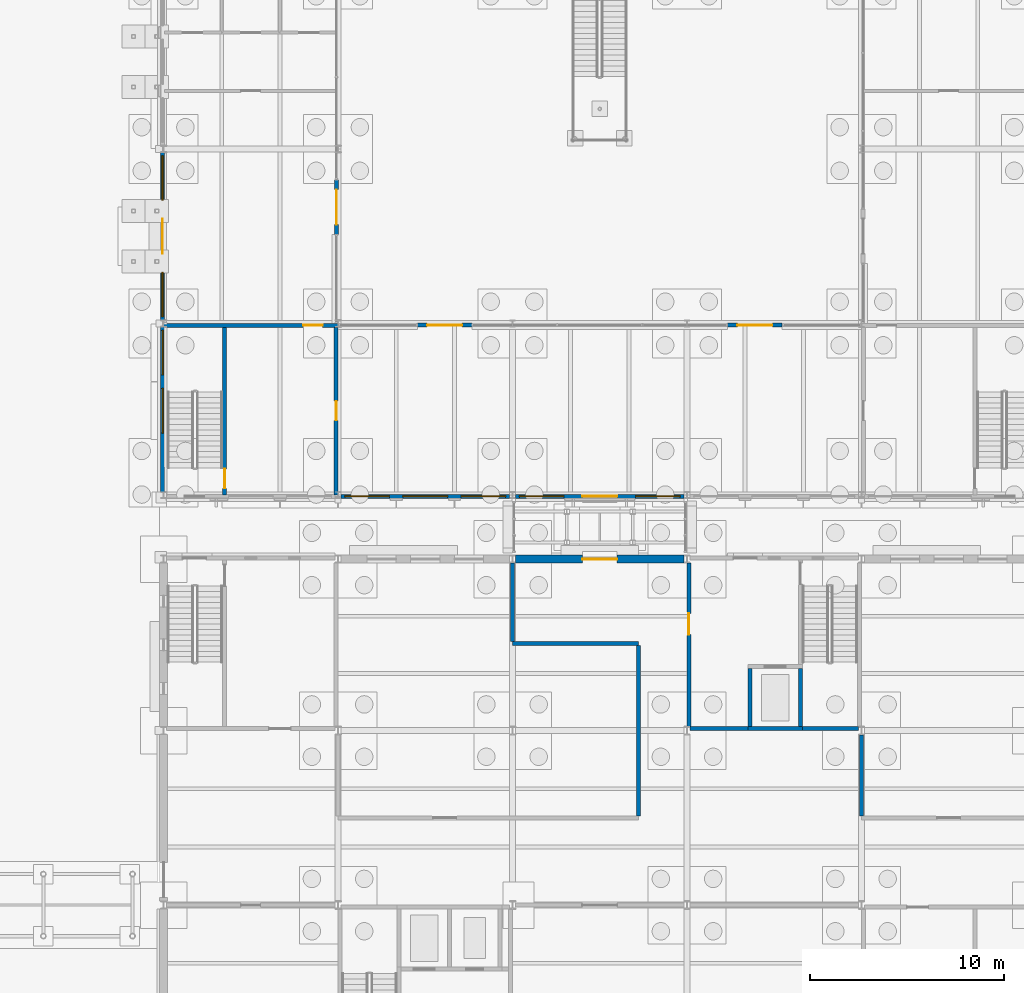
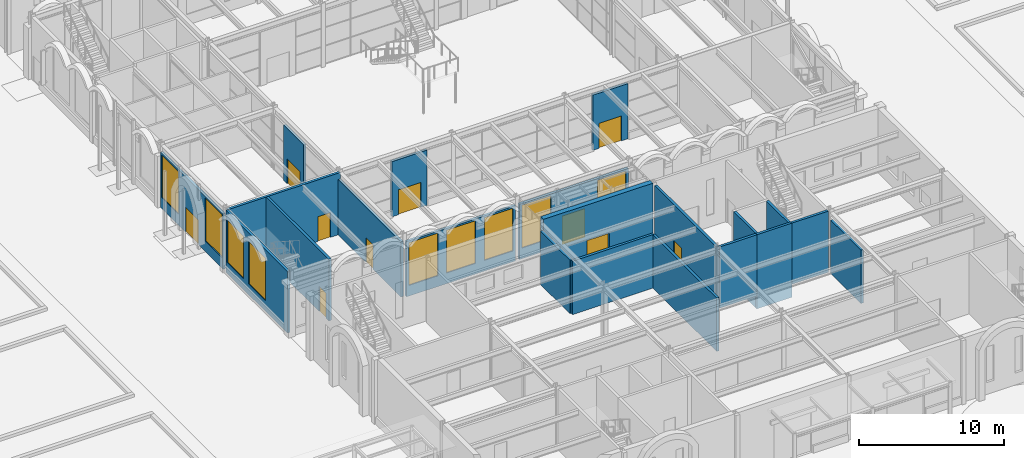
# One storey, part 71 of 126: 21 walls, 10 doors, 9 windows, 19 openings.
"""IFC4 building model written with IfcOpenShell, lengths in metres."""

from ifc_helpers import new_model, si_unit, direction, frame, frame_2d, origin, place, context, subcontext, project, spatial, rectangle, extrude, material, layer, layer_set, type_object, element, fill, save


model = new_model("IFC4")

# Units and contexts
model_context = context("Model", 3, precision=1e-05, world=origin(), true_north=direction((0.0, 1.0)))
body_context = subcontext(model_context, "Body", "Model", "MODEL_VIEW")
ifc_project = project(units=[si_unit("LENGTHUNIT", "METRE"), si_unit("AREAUNIT", "SQUARE_METRE"), si_unit("VOLUMEUNIT", "CUBIC_METRE"), si_unit("PLANEANGLEUNIT", "RADIAN"), si_unit("MASSUNIT", "GRAM", prefix="KILO")], contexts=[model_context])

# Site, building, storey
site_placement = place(None, origin())
site = spatial("IfcSite", under=ifc_project, at=site_placement, CompositionType="ELEMENT")
building_placement = place(site_placement, origin())
building = spatial("IfcBuilding", under=site, at=building_placement, Name="Kallimachos Central Library", CompositionType="ELEMENT")
storey_placement = place(building_placement, origin())
storey = spatial("IfcBuildingStorey", under=building, at=storey_placement, Name="L00", CompositionType="ELEMENT", Elevation=0.0)

# Wall, opening, door
ifc_material_1 = material(Name="Brick masonry", Category="masonry")
ifc_layer_1 = layer(ifc_material_1, 0.199951171875)
ifc_layer_set_1 = layer_set([ifc_layer_1], Name="Atrium screen wall 200")
wall_type_1 = type_object("IfcWallType", Name="Atrium screen wall 200", PredefinedType="SOLIDWALL", material=ifc_layer_set_1)
wall_1_placement = place(storey_placement, frame((78.60009765625, 56.919921875, 0.0), z_axis=(0.0, 0.0, 1.0), x_axis=(1.0, 0.0, 0.0)))
wall_1 = element("IfcWall", 1, at=wall_1_placement, inside=storey, type_object=wall_type_1, Name="L00 atrium screen wall S", PredefinedType="SOLIDWALL", context=body_context, shape_type="SweptSolid", body=[
    extrude(rectangle(XDim=2.7998046875, YDim=0.199951171875, at=frame_2d((1.39990234375, 0.0))), origin(), (0.0, 0.0, 1.0), 4.64990234375),
])
opening_1_placement = place(wall_1_placement, frame((0.5, 0.0, 0.0)))
opening_1 = element("IfcOpeningElement", 2, at=opening_1_placement, cuts=wall_1, Name="Opening D39", PredefinedType="OPENING", context=body_context, shape_type="SweptSolid", body=[
    extrude(rectangle(XDim=1.800048828125, YDim=2.10009765625, at=frame_2d((0.89990234375, 1.050048828125))), frame((0.0, 0.10986328125, 0.0), z_axis=(0.0, -1.0, 0.0), x_axis=(1.0, 0.0, 0.0)), (0.0, 0.0, 1.0), 0.219970703125),
])
ifc_material_2 = material(Name="Timber and glass", Category="wood")
door_type_1 = type_object("IfcDoorType", Name="Double leaf door 1800 x 2100, EI2 90", OperationType="DOUBLE_DOOR_SINGLE_SWING", PredefinedType="DOOR", material=ifc_material_2)
door_1_placement = place(opening_1_placement, origin())
door_1 = element("IfcDoor", 3, at=door_1_placement, inside=storey, type_object=door_type_1, Name="Atrium Door S", OperationType="DOUBLE_DOOR_SINGLE_SWING", OverallHeight=2.10009765625, OverallWidth=1.800048828125, PredefinedType="DOOR", context=body_context, shape_type="SweptSolid", body=[
    extrude(rectangle(XDim=1.800048828125, YDim=2.10009765625, at=frame_2d((0.89990234375, 1.050048828125))), frame((0.0, 0.02490234375, 0.0), z_axis=(0.0, -1.0, 0.0), x_axis=(1.0, 0.0, 0.0)), (0.0, 0.0, 1.0), 0.050048828125),
])
fill(opening_1, door_1)

wall_2_placement = place(storey_placement, frame((94.60009765625, 56.919921875, 0.0), z_axis=(0.0, 0.0, 1.0), x_axis=(1.0, 0.0, 0.0)))
wall_2 = element("IfcWall", 4, at=wall_2_placement, inside=storey, type_object=wall_type_1, Name="L00 atrium screen wall S", PredefinedType="SOLIDWALL", context=body_context, shape_type="SweptSolid", body=[
    extrude(rectangle(XDim=2.7998046875, YDim=0.199951171875, at=frame_2d((1.39990234375, 0.0))), origin(), (0.0, 0.0, 1.0), 4.64990234375),
])
opening_2_placement = place(wall_2_placement, frame((0.5, 0.0, 0.0)))
opening_2 = element("IfcOpeningElement", 5, at=opening_2_placement, cuts=wall_2, Name="Opening D40", PredefinedType="OPENING", context=body_context, shape_type="SweptSolid", body=[
    extrude(rectangle(XDim=1.800048828125, YDim=2.10009765625, at=frame_2d((0.89990234375, 1.050048828125))), frame((0.0, 0.10986328125, 0.0), z_axis=(0.0, -1.0, 0.0), x_axis=(1.0, 0.0, 0.0)), (0.0, 0.0, 1.0), 0.219970703125),
])
door_2_placement = place(opening_2_placement, origin())
door_2 = element("IfcDoor", 6, at=door_2_placement, inside=storey, type_object=door_type_1, Name="Atrium Door S", OperationType="DOUBLE_DOOR_SINGLE_SWING", OverallHeight=2.10009765625, OverallWidth=1.800048828125, PredefinedType="DOOR", context=body_context, shape_type="SweptSolid", body=[
    extrude(rectangle(XDim=1.800048828125, YDim=2.10009765625, at=frame_2d((0.89990234375, 1.050048828125))), frame((0.0, 0.02490234375, 0.0), z_axis=(0.0, -1.0, 0.0), x_axis=(1.0, 0.0, 0.0)), (0.0, 0.0, 1.0), 0.050048828125),
])
fill(opening_2, door_2)

wall_3_placement = place(storey_placement, frame((74.419921875, 61.60009765625, 0.0), z_axis=(0.0, 0.0, 1.0), x_axis=(0.0, 1.0, 0.0)))
wall_3 = element("IfcWall", 7, at=wall_3_placement, inside=storey, type_object=wall_type_1, Name="L00 atrium screen wall W", PredefinedType="SOLIDWALL", context=body_context, shape_type="SweptSolid", body=[
    extrude(rectangle(XDim=2.7998046875, YDim=0.199951171875, at=frame_2d((1.39990234375, 0.0))), origin(), (0.0, 0.0, 1.0), 4.64990234375),
])
opening_3_placement = place(wall_3_placement, frame((0.5, 0.0, 0.0)))
opening_3 = element("IfcOpeningElement", 8, at=opening_3_placement, cuts=wall_3, Name="Opening D41", PredefinedType="OPENING", context=body_context, shape_type="SweptSolid", body=[
    extrude(rectangle(XDim=1.800048828125, YDim=2.10009765625, at=frame_2d((0.89990234375, 1.050048828125))), frame((0.0, 0.10986328125, 0.0), z_axis=(0.0, -1.0, 0.0), x_axis=(1.0, 0.0, 0.0)), (0.0, 0.0, 1.0), 0.219970703125),
])
door_3_placement = place(opening_3_placement, origin())
door_3 = element("IfcDoor", 9, at=door_3_placement, inside=storey, type_object=door_type_1, Name="Atrium Door W", OperationType="DOUBLE_DOOR_SINGLE_SWING", OverallHeight=2.10009765625, OverallWidth=1.800048828125, PredefinedType="DOOR", context=body_context, shape_type="SweptSolid", body=[
    extrude(rectangle(XDim=1.800048828125, YDim=2.10009765625, at=frame_2d((0.89990234375, 1.050048828125))), frame((0.0, 0.02490234375, 0.0), z_axis=(0.0, -1.0, 0.0), x_axis=(1.0, 0.0, 0.0)), (0.0, 0.0, 1.0), 0.050048828125),
])
fill(opening_3, door_3)

# Walls
ifc_material_3 = material(Name="Concrete C30/37", Category="concrete")
ifc_layer_2 = layer(ifc_material_3, 0.199951171875)
ifc_layer_set_2 = layer_set([ifc_layer_2], Name="Compartment wall 200")
wall_type_2 = type_object("IfcWallType", Name="Compartment wall 200", PredefinedType="SOLIDWALL", material=ifc_layer_set_2)
wall_4_placement = place(storey_placement, frame((83.5, 40.5, 0.0), z_axis=(0.0, 0.0, 1.0), x_axis=(1.0, 0.0, 0.0)))
element("IfcWall", 10, at=wall_4_placement, inside=storey, type_object=wall_type_2, Name="V5-WAL-L00-048", PredefinedType="SOLIDWALL", context=body_context, shape_type="SweptSolid", body=[
    extrude(rectangle(XDim=6.5, YDim=0.199951171875, at=frame_2d((3.25, 0.0))), origin(), (0.0, 0.0, 1.0), 4.5),
])
wall_5_placement = place(storey_placement, frame((83.5, 40.60009765625, 0.0), z_axis=(0.0, 0.0, 1.0), x_axis=(0.0, 1.0, 0.0)))
element("IfcWall", 11, at=wall_5_placement, inside=storey, type_object=wall_type_2, Name="V5-WAL-L00-050", PredefinedType="SOLIDWALL", context=body_context, shape_type="SweptSolid", body=[
    extrude(rectangle(XDim=4.0498046875, YDim=0.199951171875, at=frame_2d((2.02490234375, 0.0))), origin(), (0.0, 0.0, 1.0), 4.5),
])
wall_6_placement = place(storey_placement, frame((90.0, 31.60009765625, 0.0), z_axis=(0.0, 0.0, 1.0), x_axis=(0.0, 1.0, 0.0)))
element("IfcWall", 12, at=wall_6_placement, inside=storey, type_object=wall_type_2, Name="V5-WAL-L00-051", PredefinedType="SOLIDWALL", context=body_context, shape_type="SweptSolid", body=[
    extrude(rectangle(XDim=8.7998046875, YDim=0.199951171875, at=frame_2d((4.39990234375, 0.0))), origin(), (0.0, 0.0, 1.0), 4.5),
])
wall_7_placement = place(storey_placement, frame((101.5, 31.60009765625, 0.0), z_axis=(0.0, 0.0, 1.0), x_axis=(0.0, 1.0, 0.0)))
element("IfcWall", 13, at=wall_7_placement, inside=storey, type_object=wall_type_2, Name="V5-WAL-L00-052", PredefinedType="SOLIDWALL", context=body_context, shape_type="SweptSolid", body=[
    extrude(rectangle(XDim=4.183837890625, YDim=0.199951171875, at=frame_2d((2.091796875, 0.0))), origin(), (0.0, 0.0, 1.0), 4.5),
])
ifc_material_4 = material(Name="Concrete C30/37", Category="concrete")
ifc_layer_3 = layer(ifc_material_4, 0.199951171875)
ifc_layer_set_3 = layer_set([ifc_layer_3], Name="Core wall 200")
wall_type_3 = type_object("IfcWallType", Name="Core wall 200", PredefinedType="SOLIDWALL", material=ifc_layer_set_3)
wall_8_placement = place(storey_placement, frame((92.653564453125, 36.10009765625, 0.0), z_axis=(0.0, 0.0, 1.0), x_axis=(1.0, 0.0, 0.0)))
element("IfcWall", 14, at=wall_8_placement, inside=storey, type_object=wall_type_3, Name="V5-WAL-L00-032", PredefinedType="SOLIDWALL", context=body_context, shape_type="SweptSolid", body=[
    extrude(rectangle(XDim=2.996337890625, YDim=0.199951171875, at=frame_2d((1.498046875, 0.0))), origin(), (0.0, 0.0, 1.0), 5.14990234375),
])
wall_9_placement = place(storey_placement, frame((98.449951171875, 36.10009765625, 0.0), z_axis=(0.0, 0.0, 1.0), x_axis=(1.0, 0.0, 0.0)))
element("IfcWall", 15, at=wall_9_placement, inside=storey, type_object=wall_type_3, Name="V5-WAL-L00-033", PredefinedType="SOLIDWALL", context=body_context, shape_type="SweptSolid", body=[
    extrude(rectangle(XDim=2.896484375, YDim=0.199951171875, at=frame_2d((1.4482421875, 0.0))), origin(), (0.0, 0.0, 1.0), 5.14990234375),
])

# Wall, opening, door
wall_10_placement = place(storey_placement, frame((92.60009765625, 36.216064453125, 0.0), z_axis=(0.0, 0.0, 1.0), x_axis=(0.0, 1.0, 0.0)))
wall_10 = element("IfcWall", 16, at=wall_10_placement, inside=storey, type_object=wall_type_3, Name="V5-WAL-L00-034", PredefinedType="SOLIDWALL", context=body_context, shape_type="SweptSolid", body=[
    extrude(rectangle(XDim=8.433837890625, YDim=0.199951171875, at=frame_2d((4.216796875, 0.0))), origin(), (0.0, 0.0, 1.0), 5.14990234375),
])
opening_4_placement = place(wall_10_placement, frame((4.73388671875, 0.0, 0.0)))
opening_4 = element("IfcOpeningElement", 17, at=opening_4_placement, cuts=wall_10, Name="Opening D85", PredefinedType="OPENING", context=body_context, shape_type="SweptSolid", body=[
    extrude(rectangle(XDim=1.10009765625, YDim=2.10009765625, at=frame_2d((0.550048828125, 1.050048828125))), frame((0.0, 0.10986328125, 0.0), z_axis=(0.0, -1.0, 0.0), x_axis=(1.0, 0.0, 0.0)), (0.0, 0.0, 1.0), 0.219970703125),
])
ifc_material_5 = material(Name="Steel fire door", Category="steel")
door_type_2 = type_object("IfcDoorType", Name="Fire door EI2 90 1100 x 2100", OperationType="NOTDEFINED", PredefinedType="DOOR", material=ifc_material_5)
door_4_placement = place(opening_4_placement, frame((1.10009765625, 0.0, 0.0), z_axis=(0.0, 0.0, 1.0), x_axis=(-1.0, 0.0, 0.0)))
door_4 = element("IfcDoor", 18, at=door_4_placement, inside=storey, type_object=door_type_2, Name="ST14 lobby door L00", OperationType="SINGLE_SWING_LEFT", OverallHeight=2.10009765625, OverallWidth=1.10009765625, PredefinedType="DOOR", context=body_context, shape_type="SweptSolid", body=[
    extrude(rectangle(XDim=1.10009765625, YDim=2.10009765625, at=frame_2d((0.550048828125, 1.050048828125))), frame((0.0, 0.02490234375, 0.0), z_axis=(0.0, -1.0, 0.0), x_axis=(1.0, 0.0, 0.0)), (0.0, 0.0, 1.0), 0.050048828125),
])
fill(opening_4, door_4)

# Walls
ifc_material_6 = material(Name="Concrete C30/37", Category="concrete")
ifc_layer_4 = layer(ifc_material_6, 0.199951171875)
ifc_layer_set_4 = layer_set([ifc_layer_4], Name="Lift shaft wall 200")
wall_type_4 = type_object("IfcWallType", Name="Lift shaft wall 200", PredefinedType="SOLIDWALL", material=ifc_layer_set_4)
wall_11_placement = place(storey_placement, frame((95.64990234375, 36.10009765625, -1.10009765625), z_axis=(0.0, 0.0, 1.0), x_axis=(1.0, 0.0, 0.0)))
element("IfcWall", 19, at=wall_11_placement, inside=storey, type_object=wall_type_4, Name="V5-WAL-L00-006", PredefinedType="SOLIDWALL", context=body_context, shape_type="SweptSolid", body=[
    extrude(rectangle(XDim=2.800048828125, YDim=0.199951171875, at=frame_2d((1.39990234375, 0.0))), origin(), (0.0, 0.0, 1.0), 6.25),
])
for number, where, z_axis, x_axis, name in (
    (20, (95.75, 36.199951171875, -1.10009765625), (0.0, 0.0, 1.0), (0.0, 1.0, 0.0), "V5-WAL-L00-008"),
    (21, (98.35009765625, 36.199951171875, -1.10009765625), (0.0, 0.0, 1.0), (0.0, 1.0, 0.0), "V5-WAL-L00-009"),
):
    element("IfcWall", number, at=place(storey_placement, frame(where, z_axis=z_axis, x_axis=x_axis)), inside=storey, type_object=wall_type_4, Name=name, PredefinedType="SOLIDWALL", context=body_context, shape_type="SweptSolid", body=[
        extrude(rectangle(XDim=3.0, YDim=0.199951171875, at=frame_2d((1.5, 0.0))), origin(), (0.0, 0.0, 1.0), 6.25),
    ])

# Wall, opening, door
ifc_material_7 = material(Name="Concrete C35/45", Category="concrete")
ifc_layer_5 = layer(ifc_material_7, 0.199951171875)
ifc_layer_set_5 = layer_set([ifc_layer_5], Name="Shear core wall 200, internal")
wall_type_5 = type_object("IfcWallType", Name="Shear core wall 200, internal", PredefinedType="SHEAR", material=ifc_layer_set_5)
wall_12_placement = place(storey_placement, frame((65.5, 56.89990234375, 0.0), z_axis=(0.0, 0.0, 1.0), x_axis=(1.0, 0.0, 0.0)))
wall_12 = element("IfcWall", 22, at=wall_12_placement, inside=storey, type_object=wall_type_5, Name="L00 core wall V4-SW N", PredefinedType="SHEAR", context=body_context, shape_type="SweptSolid", body=[
    extrude(rectangle(XDim=9.0, YDim=0.199951171875, at=frame_2d((4.5, 0.0))), origin(), (0.0, 0.0, 1.0), 5.199951171875),
])
opening_5_placement = place(wall_12_placement, frame((7.199951171875, 0.0, 0.0)))
opening_5 = element("IfcOpeningElement", 23, at=opening_5_placement, cuts=wall_12, Name="Opening D168", PredefinedType="OPENING", context=body_context, shape_type="SweptSolid", body=[
    extrude(rectangle(XDim=1.0, YDim=2.10009765625, at=frame_2d((0.5, 1.050048828125))), frame((0.0, 0.10986328125, 0.0), z_axis=(0.0, -1.0, 0.0), x_axis=(1.0, 0.0, 0.0)), (0.0, 0.0, 1.0), 0.219970703125),
])
ifc_material_8 = material(Name="Timber", Category="wood")
door_type_3 = type_object("IfcDoorType", Name="Single leaf door 1000 x 2100, EI2 90", OperationType="NOTDEFINED", PredefinedType="DOOR", material=ifc_material_8)
door_5_placement = place(opening_5_placement, frame((1.0, 0.0, 0.0), z_axis=(0.0, 0.0, 1.0), x_axis=(-1.0, 0.0, 0.0)))
door_5 = element("IfcDoor", 24, at=door_5_placement, inside=storey, type_object=door_type_3, Name="L00 core door V4-SW", OperationType="SINGLE_SWING_RIGHT", OverallHeight=2.10009765625, OverallWidth=1.0, PredefinedType="DOOR", context=body_context, shape_type="SweptSolid", body=[
    extrude(rectangle(XDim=1.0, YDim=2.10009765625, at=frame_2d((0.5, 1.050048828125))), frame((0.0, 0.02490234375, 0.0), z_axis=(0.0, -1.0, 0.0), x_axis=(1.0, 0.0, 0.0)), (0.0, 0.0, 1.0), 0.050048828125),
])
fill(opening_5, door_5)

wall_13_placement = place(storey_placement, frame((74.39990234375, 48.14990234375, 0.0), z_axis=(0.0, 0.0, 1.0), x_axis=(0.0, 1.0, 0.0)))
wall_13 = element("IfcWall", 25, at=wall_13_placement, inside=storey, type_object=wall_type_5, Name="L00 core wall V4-SW E", PredefinedType="SHEAR", context=body_context, shape_type="SweptSolid", body=[
    extrude(rectangle(XDim=8.650146484375, YDim=0.199951171875, at=frame_2d((4.3251953125, 0.0))), origin(), (0.0, 0.0, 1.0), 4.64990234375),
])
opening_6_placement = place(wall_13_placement, frame((3.85009765625, 0.0, 0.0)))
opening_6 = element("IfcOpeningElement", 26, at=opening_6_placement, cuts=wall_13, Name="Opening D171", PredefinedType="OPENING", context=body_context, shape_type="SweptSolid", body=[
    extrude(rectangle(XDim=1.0, YDim=2.10009765625, at=frame_2d((0.5, 1.050048828125))), frame((0.0, 0.10986328125, 0.0), z_axis=(0.0, -1.0, 0.0), x_axis=(1.0, 0.0, 0.0)), (0.0, 0.0, 1.0), 0.219970703125),
])
door_6_placement = place(opening_6_placement, origin())
door_6 = element("IfcDoor", 27, at=door_6_placement, inside=storey, type_object=door_type_3, Name="L00 core door V4-SW", OperationType="SINGLE_SWING_RIGHT", OverallHeight=2.10009765625, OverallWidth=1.0, PredefinedType="DOOR", context=body_context, shape_type="SweptSolid", body=[
    extrude(rectangle(XDim=1.0, YDim=2.10009765625, at=frame_2d((0.5, 1.050048828125))), frame((0.0, 0.02490234375, 0.0), z_axis=(0.0, -1.0, 0.0), x_axis=(1.0, 0.0, 0.0)), (0.0, 0.0, 1.0), 0.050048828125),
])
fill(opening_6, door_6)

wall_14_placement = place(storey_placement, frame((68.64990234375, 48.14990234375, 0.0), z_axis=(0.0, 0.0, 1.0), x_axis=(0.0, 1.0, 0.0)))
wall_14 = element("IfcWall", 28, at=wall_14_placement, inside=storey, type_object=wall_type_5, Name="L00 core wall V4-SW M", PredefinedType="SHEAR", context=body_context, shape_type="SweptSolid", body=[
    extrude(rectangle(XDim=8.650146484375, YDim=0.199951171875, at=frame_2d((4.3251953125, 0.0))), origin(), (0.0, 0.0, 1.0), 5.199951171875),
])
opening_7_placement = place(wall_14_placement, frame((0.35009765625, 0.0, 0.0)))
opening_7 = element("IfcOpeningElement", 29, at=opening_7_placement, cuts=wall_14, Name="Opening D173", PredefinedType="OPENING", context=body_context, shape_type="SweptSolid", body=[
    extrude(rectangle(XDim=1.0, YDim=2.10009765625, at=frame_2d((0.5, 1.050048828125))), frame((0.0, 0.10986328125, 0.0), z_axis=(0.0, -1.0, 0.0), x_axis=(1.0, 0.0, 0.0)), (0.0, 0.0, 1.0), 0.219970703125),
])
door_7_placement = place(opening_7_placement, origin())
door_7 = element("IfcDoor", 30, at=door_7_placement, inside=storey, type_object=door_type_3, Name="L00 core door V4-SW", OperationType="SINGLE_SWING_RIGHT", OverallHeight=2.10009765625, OverallWidth=1.0, PredefinedType="DOOR", context=body_context, shape_type="SweptSolid", body=[
    extrude(rectangle(XDim=1.0, YDim=2.10009765625, at=frame_2d((0.5, 1.050048828125))), frame((0.0, 0.02490234375, 0.0), z_axis=(0.0, -1.0, 0.0), x_axis=(1.0, 0.0, 0.0)), (0.0, 0.0, 1.0), 0.050048828125),
])
fill(opening_7, door_7)

ifc_material_9 = material(Name="Pentelic marble masonry", Category="masonry")
ifc_layer_6 = layer(ifc_material_9, 0.39990234375)
ifc_layer_set_6 = layer_set([ifc_layer_6], Name="Stone masonry wall 400")
wall_type_6 = type_object("IfcWallType", Name="Stone masonry wall 400", PredefinedType="SOLIDWALL", material=ifc_layer_set_6)
wall_15_placement = place(storey_placement, frame((83.64990234375, 44.85009765625, 0.0), z_axis=(0.0, 0.0, 1.0), x_axis=(1.0, 0.0, 0.0)))
wall_15 = element("IfcWall", 31, at=wall_15_placement, inside=storey, type_object=wall_type_6, Name="V5-WAL-L00-017", PredefinedType="SOLIDWALL", context=body_context, shape_type="SweptSolid", body=[
    extrude(rectangle(XDim=8.7001953125, YDim=0.39990234375, at=frame_2d((4.35009765625, 0.0))), origin(), (0.0, 0.0, 1.0), 5.39990234375),
])
opening_8_placement = place(wall_15_placement, frame((3.449951171875, 0.0, 0.0)))
opening_8 = element("IfcOpeningElement", 32, at=opening_8_placement, cuts=wall_15, Name="Opening DL2", PredefinedType="OPENING", context=body_context, shape_type="SweptSolid", body=[
    extrude(rectangle(XDim=1.800048828125, YDim=2.39990234375, at=frame_2d((0.89990234375, 1.199951171875))), frame((0.0, 0.2099609375, 0.0), z_axis=(0.0, -1.0, 0.0), x_axis=(1.0, 0.0, 0.0)), (0.0, 0.0, 1.0), 0.419921875),
])
ifc_material_10 = material(Name="Anodised aluminium and laminated glass", Category="aluminium")
door_type_4 = type_object("IfcDoorType", Name="Link door 1800 x 2400", OperationType="DOUBLE_DOOR_SINGLE_SWING", PredefinedType="DOOR", material=ifc_material_10)
door_8_placement = place(opening_8_placement, origin())
door_8 = element("IfcDoor", 33, at=door_8_placement, inside=storey, type_object=door_type_4, Name="Stacks link door L00", OperationType="DOUBLE_DOOR_SINGLE_SWING", OverallHeight=2.39990234375, OverallWidth=1.800048828125, PredefinedType="DOOR", context=body_context, shape_type="SweptSolid", body=[
    extrude(rectangle(XDim=1.800048828125, YDim=2.39990234375, at=frame_2d((0.89990234375, 1.199951171875))), frame((0.0, 0.02490234375, 0.0), z_axis=(0.0, -1.0, 0.0), x_axis=(1.0, 0.0, 0.0)), (0.0, 0.0, 1.0), 0.050048828125),
])
fill(opening_8, door_8)

# Wall, openings, windows
ifc_material_11 = material(Name="Brick masonry with Pentelic marble cladding", Category="masonry")
ifc_layer_7 = layer(ifc_material_11, 0.199951171875)
ifc_layer_set_7 = layer_set([ifc_layer_7], Name="Stone-clad masonry wall 200")
wall_type_7 = type_object("IfcWallType", Name="Stone-clad masonry wall 200", PredefinedType="SOLIDWALL", material=ifc_layer_set_7)
wall_16_placement = place(storey_placement, frame((74.64990234375, 48.080078125, 0.0), z_axis=(0.0, 0.0, 1.0), x_axis=(1.0, 0.0, 0.0)))
wall_16 = element("IfcWall", 34, at=wall_16_placement, inside=storey, type_object=wall_type_7, Name="V4-WAL-L00-016", PredefinedType="SOLIDWALL", context=body_context, shape_type="SweptSolid", body=[
    extrude(rectangle(XDim=8.7001953125, YDim=0.199951171875, at=frame_2d((4.35009765625, 0.0))), origin(), (0.0, 0.0, 1.0), 4.64990234375),
])
opening_9_placement = place(wall_16_placement, frame((0.199951171875, 0.0, 0.89990234375)))
opening_9 = element("IfcOpeningElement", 35, at=opening_9_placement, cuts=wall_16, Name="Opening WN160", PredefinedType="OPENING", context=body_context, shape_type="SweptSolid", body=[
    extrude(rectangle(XDim=2.300048828125, YDim=3.60009765625, at=frame_2d((1.14990234375, 1.800048828125))), frame((0.0, 0.10986328125, 0.0), z_axis=(0.0, -1.0, 0.0), x_axis=(1.0, 0.0, 0.0)), (0.0, 0.0, 1.0), 0.219970703125),
])
opening_10_placement = place(wall_16_placement, frame((3.199951171875, 0.0, 0.89990234375)))
opening_10 = element("IfcOpeningElement", 36, at=opening_10_placement, cuts=wall_16, Name="Opening WN160", PredefinedType="OPENING", context=body_context, shape_type="SweptSolid", body=[
    extrude(rectangle(XDim=2.300048828125, YDim=3.60009765625, at=frame_2d((1.14990234375, 1.800048828125))), frame((0.0, 0.10986328125, 0.0), z_axis=(0.0, -1.0, 0.0), x_axis=(1.0, 0.0, 0.0)), (0.0, 0.0, 1.0), 0.219970703125),
])
opening_11_placement = place(wall_16_placement, frame((6.199951171875, 0.0, 0.89990234375)))
opening_11 = element("IfcOpeningElement", 37, at=opening_11_placement, cuts=wall_16, Name="Opening WN160", PredefinedType="OPENING", context=body_context, shape_type="SweptSolid", body=[
    extrude(rectangle(XDim=2.300048828125, YDim=3.60009765625, at=frame_2d((1.14990234375, 1.800048828125))), frame((0.0, 0.10986328125, 0.0), z_axis=(0.0, -1.0, 0.0), x_axis=(1.0, 0.0, 0.0)), (0.0, 0.0, 1.0), 0.219970703125),
])
ifc_material_12 = material(Name="Anodised aluminium and laminated glass", Category="aluminium")
window_type_1 = type_object("IfcWindowType", Name="Window 2300 x 3600", PartitioningType="DOUBLE_PANEL_VERTICAL", PredefinedType="WINDOW", material=ifc_material_12)
window_1_placement = place(opening_9_placement, origin())
window_1 = element("IfcWindow", 38, at=window_1_placement, inside=storey, type_object=window_type_1, Name="V4-WIN-L00-003", OverallHeight=3.60009765625, OverallWidth=2.300048828125, PartitioningType="SINGLE_PANEL", PredefinedType="WINDOW", context=body_context, shape_type="SweptSolid", body=[
    extrude(rectangle(XDim=2.300048828125, YDim=3.60009765625, at=frame_2d((1.14990234375, 1.800048828125))), frame((0.0, 0.030029296875, 0.0), z_axis=(0.0, -1.0, 0.0), x_axis=(1.0, 0.0, 0.0)), (0.0, 0.0, 1.0), 0.06005859375),
])
fill(opening_9, window_1)
window_2_placement = place(opening_10_placement, origin())
window_2 = element("IfcWindow", 39, at=window_2_placement, inside=storey, type_object=window_type_1, Name="V4-WIN-L00-004", OverallHeight=3.60009765625, OverallWidth=2.300048828125, PartitioningType="SINGLE_PANEL", PredefinedType="WINDOW", context=body_context, shape_type="SweptSolid", body=[
    extrude(rectangle(XDim=2.300048828125, YDim=3.60009765625, at=frame_2d((1.14990234375, 1.800048828125))), frame((0.0, 0.030029296875, 0.0), z_axis=(0.0, -1.0, 0.0), x_axis=(1.0, 0.0, 0.0)), (0.0, 0.0, 1.0), 0.06005859375),
])
fill(opening_10, window_2)
window_3_placement = place(opening_11_placement, origin())
window_3 = element("IfcWindow", 40, at=window_3_placement, inside=storey, type_object=window_type_1, Name="V4-WIN-L00-005", OverallHeight=3.60009765625, OverallWidth=2.300048828125, PartitioningType="SINGLE_PANEL", PredefinedType="WINDOW", context=body_context, shape_type="SweptSolid", body=[
    extrude(rectangle(XDim=2.300048828125, YDim=3.60009765625, at=frame_2d((1.14990234375, 1.800048828125))), frame((0.0, 0.030029296875, 0.0), z_axis=(0.0, -1.0, 0.0), x_axis=(1.0, 0.0, 0.0)), (0.0, 0.0, 1.0), 0.06005859375),
])
fill(opening_11, window_3)

# Wall, openings, door, windows
wall_17_placement = place(storey_placement, frame((83.64990234375, 48.080078125, 0.0), z_axis=(0.0, 0.0, 1.0), x_axis=(1.0, 0.0, 0.0)))
wall_17 = element("IfcWall", 41, at=wall_17_placement, inside=storey, type_object=wall_type_7, Name="V4-WAL-L00-017", PredefinedType="SOLIDWALL", context=body_context, shape_type="SweptSolid", body=[
    extrude(rectangle(XDim=8.7001953125, YDim=0.199951171875, at=frame_2d((4.35009765625, 0.0))), origin(), (0.0, 0.0, 1.0), 4.64990234375),
])
opening_12_placement = place(wall_17_placement, frame((3.449951171875, 0.0, 0.0)))
opening_12 = element("IfcOpeningElement", 42, at=opening_12_placement, cuts=wall_17, Name="Opening D26", PredefinedType="OPENING", context=body_context, shape_type="SweptSolid", body=[
    extrude(rectangle(XDim=1.800048828125, YDim=2.39990234375, at=frame_2d((0.89990234375, 1.199951171875))), frame((0.0, 0.10986328125, 0.0), z_axis=(0.0, -1.0, 0.0), x_axis=(1.0, 0.0, 0.0)), (0.0, 0.0, 1.0), 0.219970703125),
])
opening_13_placement = place(wall_17_placement, frame((0.199951171875, 0.0, 0.89990234375)))
opening_13 = element("IfcOpeningElement", 43, at=opening_13_placement, cuts=wall_17, Name="Opening WN160", PredefinedType="OPENING", context=body_context, shape_type="SweptSolid", body=[
    extrude(rectangle(XDim=2.300048828125, YDim=3.60009765625, at=frame_2d((1.14990234375, 1.800048828125))), frame((0.0, 0.10986328125, 0.0), z_axis=(0.0, -1.0, 0.0), x_axis=(1.0, 0.0, 0.0)), (0.0, 0.0, 1.0), 0.219970703125),
])
opening_14_placement = place(wall_17_placement, frame((6.199951171875, 0.0, 0.89990234375)))
opening_14 = element("IfcOpeningElement", 44, at=opening_14_placement, cuts=wall_17, Name="Opening WN160", PredefinedType="OPENING", context=body_context, shape_type="SweptSolid", body=[
    extrude(rectangle(XDim=2.300048828125, YDim=3.60009765625, at=frame_2d((1.14990234375, 1.800048828125))), frame((0.0, 0.10986328125, 0.0), z_axis=(0.0, -1.0, 0.0), x_axis=(1.0, 0.0, 0.0)), (0.0, 0.0, 1.0), 0.219970703125),
])
door_9_placement = place(opening_12_placement, frame((1.800048828125, 0.0, 0.0), z_axis=(0.0, 0.0, 1.0), x_axis=(-1.0, 0.0, 0.0)))
door_9 = element("IfcDoor", 45, at=door_9_placement, inside=storey, type_object=door_type_4, Name="Link Door K1", OperationType="DOUBLE_DOOR_SINGLE_SWING", OverallHeight=2.39990234375, OverallWidth=1.800048828125, PredefinedType="DOOR", context=body_context, shape_type="SweptSolid", body=[
    extrude(rectangle(XDim=1.800048828125, YDim=2.39990234375, at=frame_2d((0.89990234375, 1.199951171875))), frame((0.0, 0.02490234375, 0.0), z_axis=(0.0, -1.0, 0.0), x_axis=(1.0, 0.0, 0.0)), (0.0, 0.0, 1.0), 0.050048828125),
])
fill(opening_12, door_9)
window_4_placement = place(opening_13_placement, origin())
window_4 = element("IfcWindow", 46, at=window_4_placement, inside=storey, type_object=window_type_1, Name="V4-WIN-L00-006", OverallHeight=3.60009765625, OverallWidth=2.300048828125, PartitioningType="SINGLE_PANEL", PredefinedType="WINDOW", context=body_context, shape_type="SweptSolid", body=[
    extrude(rectangle(XDim=2.300048828125, YDim=3.60009765625, at=frame_2d((1.14990234375, 1.800048828125))), frame((0.0, 0.030029296875, 0.0), z_axis=(0.0, -1.0, 0.0), x_axis=(1.0, 0.0, 0.0)), (0.0, 0.0, 1.0), 0.06005859375),
])
fill(opening_13, window_4)
window_5_placement = place(opening_14_placement, origin())
window_5 = element("IfcWindow", 47, at=window_5_placement, inside=storey, type_object=window_type_1, Name="V4-WIN-L00-007", OverallHeight=3.60009765625, OverallWidth=2.300048828125, PartitioningType="SINGLE_PANEL", PredefinedType="WINDOW", context=body_context, shape_type="SweptSolid", body=[
    extrude(rectangle(XDim=2.300048828125, YDim=3.60009765625, at=frame_2d((1.14990234375, 1.800048828125))), frame((0.0, 0.030029296875, 0.0), z_axis=(0.0, -1.0, 0.0), x_axis=(1.0, 0.0, 0.0)), (0.0, 0.0, 1.0), 0.06005859375),
])
fill(opening_14, window_5)

wall_18_placement = place(storey_placement, frame((65.445556640625, 57.1884765625, 0.0), z_axis=(0.0, 0.0, 1.0), x_axis=(0.0, 1.0, 0.0)))
wall_18 = element("IfcWall", 48, at=wall_18_placement, inside=storey, type_object=wall_type_7, Name="V4-WAL-L00-026", PredefinedType="SOLIDWALL", context=body_context, shape_type="SweptSolid", body=[
    extrude(rectangle(XDim=8.623046875, YDim=0.199951171875, at=frame_2d((4.3115234375, 0.0))), origin(), (0.0, 0.0, 1.0), 4.64990234375),
])
opening_15_placement = place(wall_18_placement, frame((3.41162109375, 0.0, 0.0)))
opening_15 = element("IfcOpeningElement", 49, at=opening_15_placement, cuts=wall_18, Name="Opening D29", PredefinedType="OPENING", context=body_context, shape_type="SweptSolid", body=[
    extrude(rectangle(XDim=1.800048828125, YDim=2.10009765625, at=frame_2d((0.89990234375, 1.050048828125))), frame((0.0, 0.10986328125, 0.0), z_axis=(0.0, -1.0, 0.0), x_axis=(1.0, 0.0, 0.0)), (0.0, 0.0, 1.0), 0.219970703125),
])
opening_16_placement = place(wall_18_placement, frame((0.16162109375, 0.0, 0.89990234375)))
opening_16 = element("IfcOpeningElement", 50, at=opening_16_placement, cuts=wall_18, Name="Opening WN160", PredefinedType="OPENING", context=body_context, shape_type="SweptSolid", body=[
    extrude(rectangle(XDim=2.300048828125, YDim=3.60009765625, at=frame_2d((1.14990234375, 1.800048828125))), frame((0.0, 0.10986328125, 0.0), z_axis=(0.0, -1.0, 0.0), x_axis=(1.0, 0.0, 0.0)), (0.0, 0.0, 1.0), 0.219970703125),
])
opening_17_placement = place(wall_18_placement, frame((6.16162109375, 0.0, 0.89990234375)))
opening_17 = element("IfcOpeningElement", 51, at=opening_17_placement, cuts=wall_18, Name="Opening WN160", PredefinedType="OPENING", context=body_context, shape_type="SweptSolid", body=[
    extrude(rectangle(XDim=2.300048828125, YDim=3.60009765625, at=frame_2d((1.14990234375, 1.800048828125))), frame((0.0, 0.10986328125, 0.0), z_axis=(0.0, -1.0, 0.0), x_axis=(1.0, 0.0, 0.0)), (0.0, 0.0, 1.0), 0.219970703125),
])
ifc_material_13 = material(Name="Timber and glass", Category="wood")
door_type_5 = type_object("IfcDoorType", Name="Double leaf door 1800 x 2100", OperationType="DOUBLE_DOOR_SINGLE_SWING", PredefinedType="DOOR", material=ifc_material_13)
door_10_placement = place(opening_15_placement, origin())
door_10 = element("IfcDoor", 52, at=door_10_placement, inside=storey, type_object=door_type_5, Name="Entrance Door", OperationType="DOUBLE_DOOR_SINGLE_SWING", OverallHeight=2.10009765625, OverallWidth=1.800048828125, PredefinedType="DOOR", context=body_context, shape_type="SweptSolid", body=[
    extrude(rectangle(XDim=1.800048828125, YDim=2.10009765625, at=frame_2d((0.89990234375, 1.050048828125))), frame((0.0, 0.02490234375, 0.0), z_axis=(0.0, -1.0, 0.0), x_axis=(1.0, 0.0, 0.0)), (0.0, 0.0, 1.0), 0.050048828125),
])
fill(opening_15, door_10)
window_6_placement = place(opening_16_placement, origin())
window_6 = element("IfcWindow", 53, at=window_6_placement, inside=storey, type_object=window_type_1, Name="V4-WIN-L00-029", OverallHeight=3.60009765625, OverallWidth=2.300048828125, PartitioningType="SINGLE_PANEL", PredefinedType="WINDOW", context=body_context, shape_type="SweptSolid", body=[
    extrude(rectangle(XDim=2.300048828125, YDim=3.60009765625, at=frame_2d((1.14990234375, 1.800048828125))), frame((0.0, 0.030029296875, 0.0), z_axis=(0.0, -1.0, 0.0), x_axis=(1.0, 0.0, 0.0)), (0.0, 0.0, 1.0), 0.06005859375),
])
fill(opening_16, window_6)
window_7_placement = place(opening_17_placement, origin())
window_7 = element("IfcWindow", 54, at=window_7_placement, inside=storey, type_object=window_type_1, Name="V4-WIN-L00-030", OverallHeight=3.60009765625, OverallWidth=2.300048828125, PartitioningType="SINGLE_PANEL", PredefinedType="WINDOW", context=body_context, shape_type="SweptSolid", body=[
    extrude(rectangle(XDim=2.300048828125, YDim=3.60009765625, at=frame_2d((1.14990234375, 1.800048828125))), frame((0.0, 0.030029296875, 0.0), z_axis=(0.0, -1.0, 0.0), x_axis=(1.0, 0.0, 0.0)), (0.0, 0.0, 1.0), 0.06005859375),
])
fill(opening_17, window_7)

# Wall, openings, windows
ifc_material_14 = material(Name="Brick masonry with Pentelic marble cladding", Category="masonry")
ifc_layer_8 = layer(ifc_material_14, 0.199951171875)
ifc_layer_set_8 = layer_set([ifc_layer_8], Name="Stone-clad masonry wall 200, load-bearing, EI 120")
wall_type_8 = type_object("IfcWallType", Name="Stone-clad masonry wall 200, load-bearing, EI 120", PredefinedType="SOLIDWALL", material=ifc_layer_set_8)
wall_19_placement = place(storey_placement, frame((65.449951171875, 48.320068359375, 0.0), z_axis=(0.0, 0.0, 1.0), x_axis=(0.0, 1.0, 0.0)))
wall_19 = element("IfcWall", 55, at=wall_19_placement, inside=storey, type_object=wall_type_8, Name="V4-WAL-L00-025", PredefinedType="SOLIDWALL", context=body_context, shape_type="SweptSolid", body=[
    extrude(rectangle(XDim=8.491455078125, YDim=0.199951171875, at=frame_2d((4.24560546875, 0.0))), origin(), (0.0, 0.0, 1.0), 5.199951171875),
])
opening_18_placement = place(wall_19_placement, frame((3.030029296875, 0.0, 0.89990234375)))
opening_18 = element("IfcOpeningElement", 56, at=opening_18_placement, cuts=wall_19, Name="Opening WN267", PredefinedType="OPENING", context=body_context, shape_type="SweptSolid", body=[
    extrude(rectangle(XDim=2.300048828125, YDim=3.60009765625, at=frame_2d((1.14990234375, 1.800048828125))), frame((0.0, 0.10986328125, 0.0), z_axis=(0.0, -1.0, 0.0), x_axis=(1.0, 0.0, 0.0)), (0.0, 0.0, 1.0), 0.219970703125),
])
opening_19_placement = place(wall_19_placement, frame((6.030029296875, 0.0, 0.89990234375)))
opening_19 = element("IfcOpeningElement", 57, at=opening_19_placement, cuts=wall_19, Name="Opening WN267", PredefinedType="OPENING", context=body_context, shape_type="SweptSolid", body=[
    extrude(rectangle(XDim=2.300048828125, YDim=3.60009765625, at=frame_2d((1.14990234375, 1.800048828125))), frame((0.0, 0.10986328125, 0.0), z_axis=(0.0, -1.0, 0.0), x_axis=(1.0, 0.0, 0.0)), (0.0, 0.0, 1.0), 0.219970703125),
])
ifc_material_15 = material(Name="Anodised aluminium and laminated glass", Category="aluminium")
window_type_2 = type_object("IfcWindowType", Name="Window 2300 x 3600, EI 120", PartitioningType="DOUBLE_PANEL_VERTICAL", PredefinedType="WINDOW", material=ifc_material_15)
window_8_placement = place(opening_18_placement, origin())
window_8 = element("IfcWindow", 58, at=window_8_placement, inside=storey, type_object=window_type_2, Name="V4-WIN-L00-027", OverallHeight=3.60009765625, OverallWidth=2.300048828125, PartitioningType="SINGLE_PANEL", PredefinedType="WINDOW", context=body_context, shape_type="SweptSolid", body=[
    extrude(rectangle(XDim=2.300048828125, YDim=3.60009765625, at=frame_2d((1.14990234375, 1.800048828125))), frame((0.0, 0.030029296875, 0.0), z_axis=(0.0, -1.0, 0.0), x_axis=(1.0, 0.0, 0.0)), (0.0, 0.0, 1.0), 0.06005859375),
])
fill(opening_18, window_8)
window_9_placement = place(opening_19_placement, origin())
window_9 = element("IfcWindow", 59, at=window_9_placement, inside=storey, type_object=window_type_2, Name="V4-WIN-L00-028", OverallHeight=3.60009765625, OverallWidth=2.300048828125, PartitioningType="SINGLE_PANEL", PredefinedType="WINDOW", context=body_context, shape_type="SweptSolid", body=[
    extrude(rectangle(XDim=2.300048828125, YDim=3.60009765625, at=frame_2d((1.14990234375, 1.800048828125))), frame((0.0, 0.030029296875, 0.0), z_axis=(0.0, -1.0, 0.0), x_axis=(1.0, 0.0, 0.0)), (0.0, 0.0, 1.0), 0.06005859375),
])
fill(opening_19, window_9)

save(model, "model.ifc")
